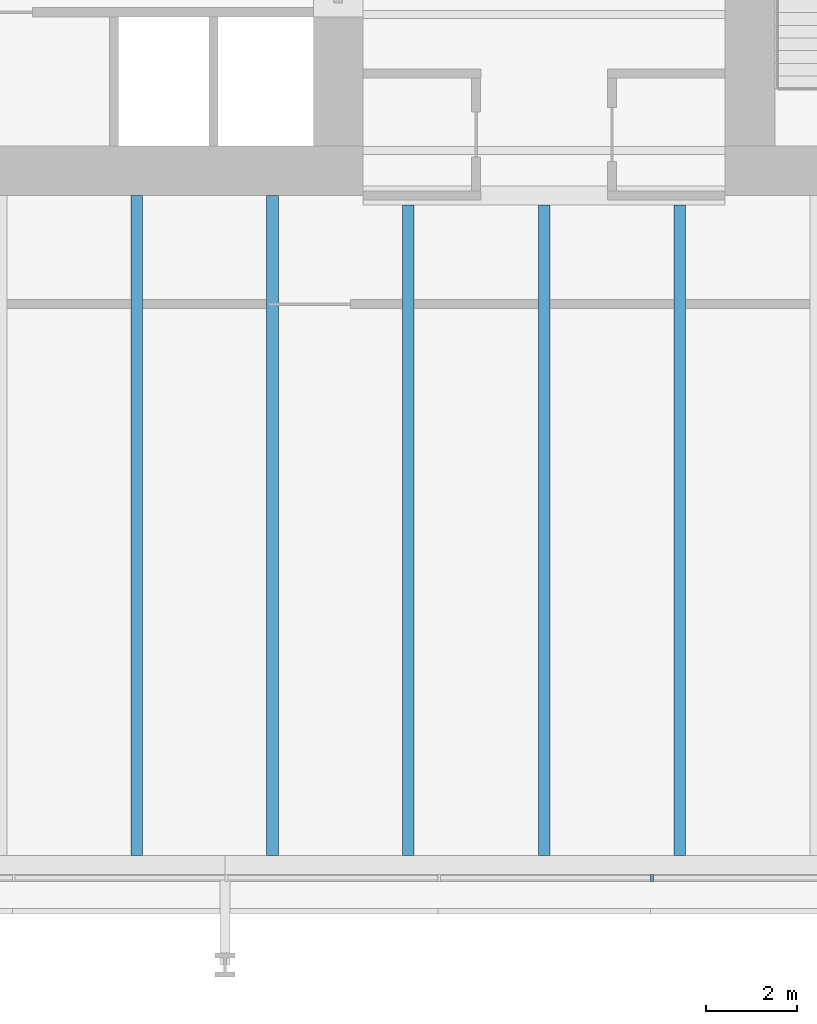
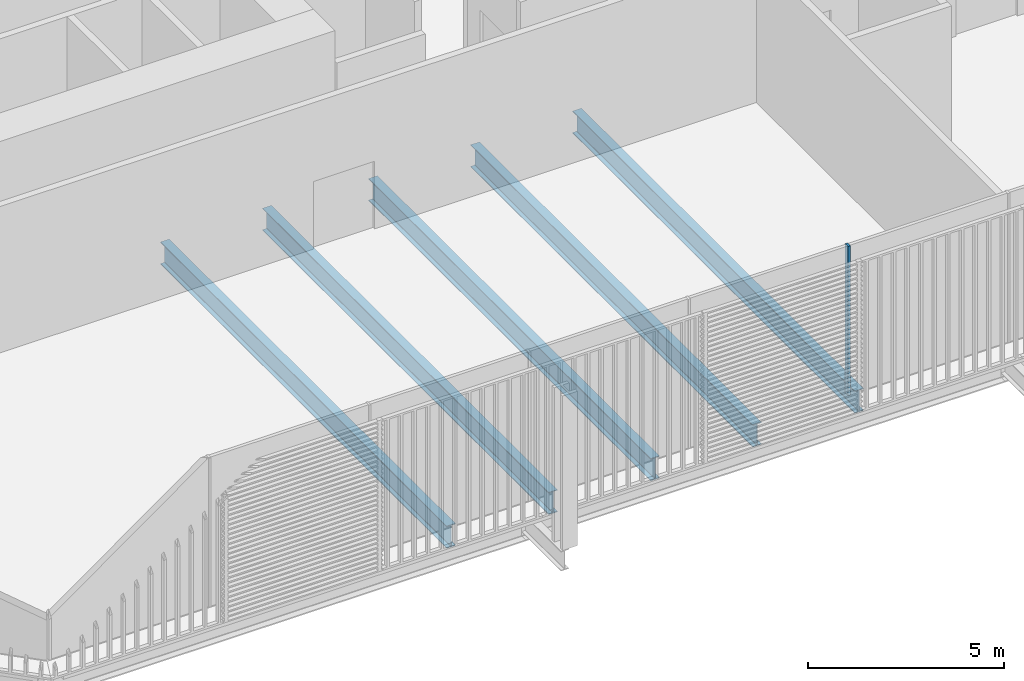
# One storey, part 4 of 22: 5 beams, 1 member, 1 element without a shape of its own.
"""IFC4 building model written with IfcOpenShell, lengths in metres."""

from ifc_helpers import new_model, si_unit, direction, frame, origin, origin_2d, place, context, subcontext, project, spatial, rectangle, i_section, extrude, material, layer, layer_set, material_profile, profile_set, type_object, element, aggregate, save


model = new_model("IFC4")

# Units and contexts
model_context = context("Model", 3, precision=1e-05, world=origin(), true_north=direction((0.0, 1.0)))
body_context = subcontext(model_context, "Body", "Model", "MODEL_VIEW")
ifc_project = project(units=[si_unit("LENGTHUNIT", "METRE"), si_unit("AREAUNIT", "SQUARE_METRE"), si_unit("VOLUMEUNIT", "CUBIC_METRE"), si_unit("PLANEANGLEUNIT", "RADIAN"), si_unit("MASSUNIT", "GRAM", prefix="KILO")], contexts=[model_context])

# Site, building, storey
site_placement = place(None, origin())
site = spatial("IfcSite", under=ifc_project, at=site_placement, CompositionType="ELEMENT")
building_placement = place(site_placement, origin())
building = spatial("IfcBuilding", under=site, at=building_placement, Name="Millrace Tower", CompositionType="ELEMENT")
storey_placement = place(building_placement, frame((0.0, 0.0, 59.300048828125)))
storey = spatial("IfcBuildingStorey", under=building, at=storey_placement, Name="L13", CompositionType="ELEMENT", Elevation=59.300048828125)

# Curtain wall, member
ifc_material_1 = material(Name="Aluminium and glass", Category="aluminium")
ifc_layer = layer(ifc_material_1, 0.14990234375)
ifc_layer_set = layer_set([ifc_layer], Name="Aluminium and glass")
curtain_wall_type = type_object("IfcCurtainWallType", Name="CW-2 data hall insulated curtain wall", PredefinedType="NOTDEFINED", material=ifc_layer_set)
curtain_wall_placement = place(storey_placement, origin())
curtain_wall = element("IfcCurtainWall", 1, at=curtain_wall_placement, inside=storey, type_object=curtain_wall_type, Name="Curtain wall A-F02 L13", PredefinedType="NOTDEFINED")
ifc_material_2 = material(Name="Aluminium", Category="aluminium")
ifc_material_profile_1 = material_profile(ifc_material_2, rectangle(XDim=0.06494140625, YDim=0.14990234375, at=origin_2d()))
ifc_profile_set_1 = profile_set([ifc_material_profile_1], Name="Aluminium")
member_type = type_object("IfcMemberType", Name="CW-2 data hall insulated curtain wall mullion", PredefinedType="MULLION", material=ifc_profile_set_1)
member_placement = place(storey_placement, frame((2.382568359375, -25.074951171875, 0.159912109375), z_axis=(0.0, 0.0, 1.0), x_axis=(1.0, 0.0, 0.0)))
member = element("IfcMember", 2, at=member_placement, type_object=member_type, Name="CW2 mullion A-F02.6", PredefinedType="MULLION", context=body_context, shape_type="SweptSolid", body=[
    extrude(rectangle(XDim=0.06494140625, YDim=0.14990234375, at=origin_2d()), origin(), (0.0, 0.0, 1.0), 4.64013671875),
])
aggregate(curtain_wall, [member])

# Beams
ifc_material_3 = material(Name="Steel ASTM A992 Grade 50", Category="steel")
ifc_material_profile_2 = material_profile(ifc_material_3, i_section(OverallWidth=0.256591796875, OverallDepth=0.693359375, WebThickness=0.014404296875, FlangeThickness=0.023681640625, FilletRadius=0.01513671875, at=origin_2d()))
ifc_profile_set_2 = profile_set([ifc_material_profile_2], Name="Steel ASTM A992 Grade 50")
beam_type = type_object("IfcBeamType", Name="Floor beam W27x114", PredefinedType="JOIST", material=ifc_profile_set_2)
for number, where, z_axis, x_axis, name in (
    (3, (-9.0, -24.578369140625, -0.57177734375), (0.0, 1.0, 0.0), (-1.0, 0.0, 0.0), "BM-A-L13-S1-S045"),
    (4, (-6.0, -24.578369140625, -0.57177734375), (0.0, 1.0, 0.0), (-1.0, 0.0, 0.0), "BM-A-L13-S1-S047"),
):
    element("IfcBeam", number, at=place(storey_placement, frame(where, z_axis=z_axis, x_axis=x_axis)), inside=storey, type_object=beam_type, Name=name, PredefinedType="JOIST", context=body_context, shape_type="SweptSolid", body=[
        extrude(i_section(OverallWidth=0.256591796875, OverallDepth=0.693359375, WebThickness=0.014404296875, FlangeThickness=0.023681640625, FilletRadius=0.01513671875, at=origin_2d()), origin(), (0.0, 0.0, 1.0), 14.578369140625),
    ])
for number, where, z_axis, x_axis, name in (
    (5, (-3.0, -24.578369140625, -0.57177734375), (0.0, 1.0, 0.0), (-1.0, 0.0, 0.0), "BM-A-L13-S1-S049"),
    (6, (0.0, -24.578369140625, -0.57177734375), (0.0, 1.0, 0.0), (-1.0, 0.0, 0.0), "BM-A-L13-S1-S051"),
    (7, (3.0, -24.578369140625, -0.57177734375), (0.0, 1.0, 0.0), (-1.0, 0.0, 0.0), "BM-A-L13-S1-S053"),
):
    element("IfcBeam", number, at=place(storey_placement, frame(where, z_axis=z_axis, x_axis=x_axis)), inside=storey, type_object=beam_type, Name=name, PredefinedType="JOIST", context=body_context, shape_type="SweptSolid", body=[
        extrude(i_section(OverallWidth=0.256591796875, OverallDepth=0.693359375, WebThickness=0.014404296875, FlangeThickness=0.023681640625, FilletRadius=0.01513671875, at=origin_2d()), origin(), (0.0, 0.0, 1.0), 14.3662109375),
    ])

save(model, "model.ifc")
